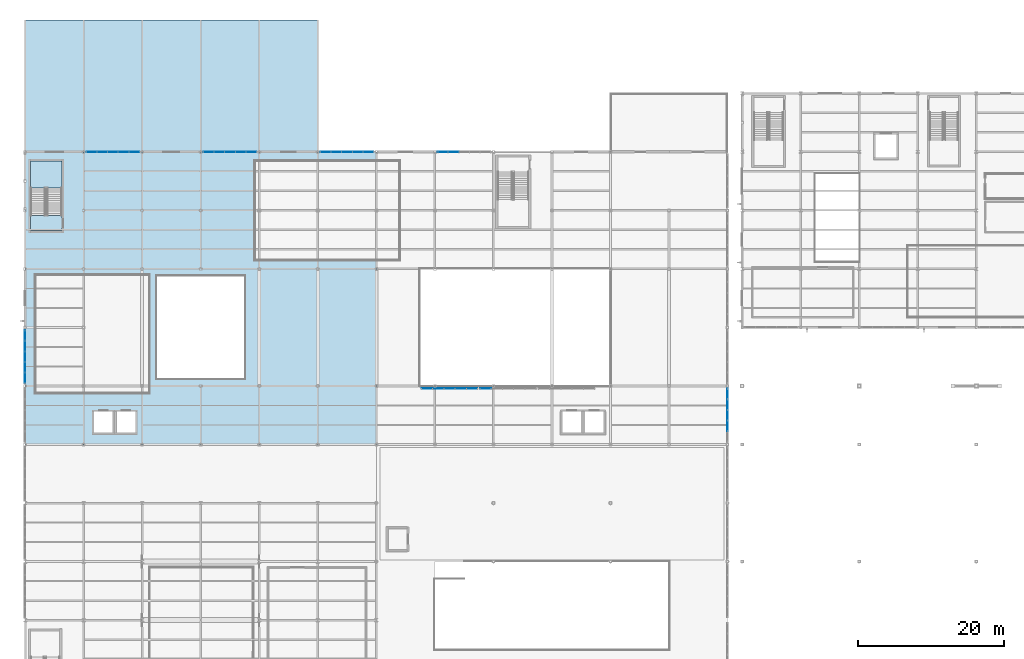
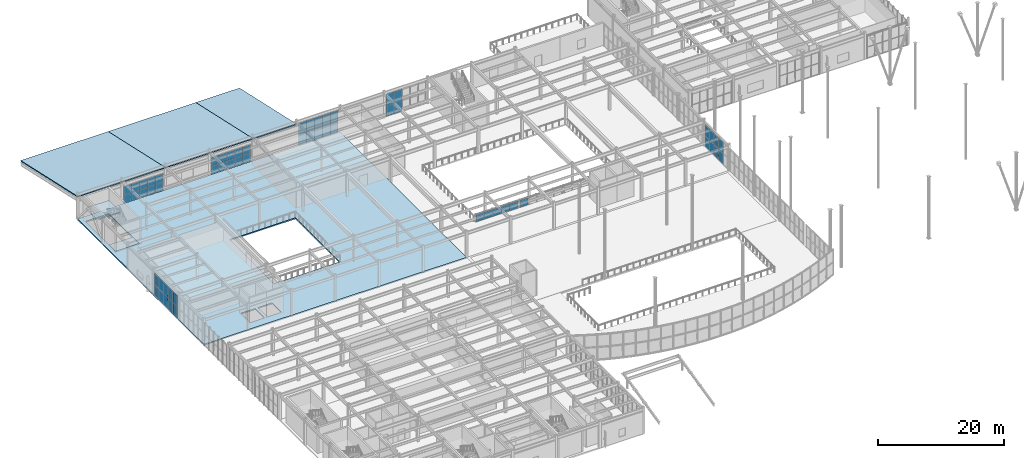
# One storey, part 49 of 77: 58 plates, 6 slabs, 9 elements without a shape of their own.
"""IFC4 building model written with IfcOpenShell, lengths in metres."""

import ifcopenshell
import ifcopenshell.guid

model = None  # the IFC model being written
_history = None  # IfcOwnerHistory: only IFC2X3 demands one
_inside = {}  # id of a spatial element -> (the spatial element, [elements in it])
_under = {}  # id of a project, library or spatial element -> (it, [spatial elements below it])
_declared = {}  # id of a project -> (the project, [libraries it declares])
_typed = {}  # id of a type object -> (the type object, [elements of that type])
_made_of = {}  # id of a material, layer set ... -> (it, [elements and type objects made of it])


def new_model(schema):
    """Start an empty IFC model of exactly this schema.

    Asked for "IFC4X3", IfcOpenShell would pick the latest addendum, in which some entities
    have other attributes; the version numbers below select the first issue.
    IFC2X3 requires an IfcOwnerHistory on every rooted entity: one is made here for all.
    """
    global model, _history
    if schema == "IFC4X3":
        model = ifcopenshell.file(schema_version=(4, 3, 0, 0))
    else:
        model = ifcopenshell.file(schema=schema)
    _inside.clear()
    _under.clear()
    _declared.clear()
    _typed.clear()
    _made_of.clear()
    _history = None
    if model.schema == "IFC2X3":
        org = make("IfcOrganization", Name="unknown")
        user = make(
            "IfcPersonAndOrganization",
            ThePerson=make("IfcPerson", FamilyName="unknown"),
            TheOrganization=org,
        )
        app = make(
            "IfcApplication",
            ApplicationDeveloper=org,
            Version="unknown",
            ApplicationFullName="unknown",
            ApplicationIdentifier="unknown",
        )
        _history = make(
            "IfcOwnerHistory",
            OwningUser=user,
            OwningApplication=app,
            ChangeAction="ADDED",
            CreationDate=0,
        )
    return model


def make(cls, **values):
    """One entity of the class cls with the attributes given. An attribute that is None is left unset."""
    return model.create_entity(
        cls, **{name: value for name, value in values.items() if value is not None}
    )


def rooted(cls, **values):
    """An entity with a GlobalId (a new one), such as an element, a storey or a relation."""
    return make(cls, GlobalId=ifcopenshell.guid.new(), OwnerHistory=_history, **values)


def si_unit(unit_type, name, prefix=None):
    """IfcSIUnit, for example si_unit("LENGTHUNIT", "METRE", prefix="MILLI")."""
    return make("IfcSIUnit", UnitType=unit_type, Prefix=prefix, Name=name)


def assignment(units):
    """IfcUnitAssignment: the units of a project."""
    return None if units is None else make("IfcUnitAssignment", Units=units)


def point(xyz):
    """IfcCartesianPoint."""
    return None if xyz is None else make("IfcCartesianPoint", Coordinates=xyz)


def direction(xyz):
    """IfcDirection."""
    return None if xyz is None else make("IfcDirection", DirectionRatios=xyz)


def frame(location, z_axis=None, x_axis=None):
    """IfcAxis2Placement3D, a coordinate frame: its origin and axes. An axis left out is left unset."""
    return make(
        "IfcAxis2Placement3D",
        Location=point(location),
        Axis=direction(z_axis),
        RefDirection=direction(x_axis),
    )


def frame_2d(location, x_axis=None):
    """IfcAxis2Placement2D, a coordinate frame in the plane: its origin and x axis."""
    return make(
        "IfcAxis2Placement2D", Location=point(location), RefDirection=direction(x_axis)
    )


def origin():
    """The frame at (0, 0, 0) with its axes left unset."""
    return frame((0.0, 0.0, 0.0))


def origin_2d():
    """The frame at (0, 0) in the plane with its x axis left unset."""
    return frame_2d((0.0, 0.0))


def place(relative_to, where):
    """IfcLocalPlacement: puts the frame where relative to a parent placement (None: the world)."""
    return make(
        "IfcLocalPlacement", PlacementRelTo=relative_to, RelativePlacement=where
    )


def context(
    kind, dimensions, precision=None, world=None, true_north=None, identifier=None
):
    """IfcGeometricRepresentationContext, for example the 3D "Model" context."""
    return make(
        "IfcGeometricRepresentationContext",
        ContextIdentifier=identifier,
        ContextType=kind,
        CoordinateSpaceDimension=dimensions,
        Precision=precision,
        WorldCoordinateSystem=world,
        TrueNorth=true_north,
    )


def subcontext(parent, identifier, kind, view, scale=None):
    """IfcGeometricRepresentationSubContext, for example "Body" below "Model"."""
    return make(
        "IfcGeometricRepresentationSubContext",
        ContextIdentifier=identifier,
        ContextType=kind,
        ParentContext=parent,
        TargetScale=scale,
        TargetView=view,
    )


def project(units=None, contexts=None):
    """IfcProject with its units and contexts."""
    return rooted(
        "IfcProject",
        Name="project",
        RepresentationContexts=contexts,
        UnitsInContext=assignment(units),
    )


def spatial(cls, under=None, at=None, **own):
    """A site, building, storey or space (cls), placed at a placement, below another one or the project."""
    s = rooted(cls, ObjectPlacement=at, **own)
    if under is not None:
        _under.setdefault(under.id(), (under, []))[1].append(s)
    return s


def polyline(points):
    """IfcPolyline through the points."""
    return make("IfcPolyline", Points=[point(p) for p in points])


def profile(cls, at=None, kind="AREA", **sizes):
    """A parametric profile (cls). Its sizes go by their IFC names, for example OverallWidth=200.0."""
    return make(cls, ProfileType=kind, Position=at, **sizes)


def rectangle(**sizes):
    """IfcRectangleProfileDef."""
    return profile("IfcRectangleProfileDef", **sizes)


def outline(outer, holes=None, kind="AREA"):
    """IfcArbitraryClosedProfileDef: a profile drawn as a closed curve; with holes, ...WithVoids."""
    if holes is None:
        return make("IfcArbitraryClosedProfileDef", ProfileType=kind, OuterCurve=outer)
    return make(
        "IfcArbitraryProfileDefWithVoids",
        ProfileType=kind,
        OuterCurve=outer,
        InnerCurves=holes,
    )


def extrude(swept, where, along, depth):
    """IfcExtrudedAreaSolid: the profile swept, set in the frame where, extruded along a direction by depth."""
    return make(
        "IfcExtrudedAreaSolid",
        SweptArea=swept,
        Position=where,
        ExtrudedDirection=direction(along),
        Depth=depth,
    )


def shape(context_of_items, identifier, shape_type, items):
    """IfcShapeRepresentation: the items that make up one representation, for example the "Body"."""
    return make(
        "IfcShapeRepresentation",
        ContextOfItems=context_of_items,
        RepresentationIdentifier=identifier,
        RepresentationType=shape_type,
        Items=items,
    )


def material(Name=None, Category=None):
    """IfcMaterial."""
    return make("IfcMaterial", Name=Name, Category=Category)


def layer(
    of_material, thickness, ventilated=None, Name=None, Category=None, Priority=None
):
    """IfcMaterialLayer: one layer of a wall or slab, of a material (None: an air gap)."""
    return make(
        "IfcMaterialLayer",
        Material=of_material,
        LayerThickness=thickness,
        IsVentilated=ventilated,
        Name=Name,
        Category=Category,
        Priority=Priority,
    )


def layer_set(layers, Name=None):
    """IfcMaterialLayerSet."""
    return make("IfcMaterialLayerSet", MaterialLayers=layers, LayerSetName=Name)


def made_of(thing, what):
    """Note that an element or type object is made of a material, layer set ...; save() writes the relation."""
    if what is not None:
        _made_of.setdefault(what.id(), (what, []))[1].append(thing)
    return thing


def type_object(cls, material=None, **own):
    """A type object (cls), such as IfcWallType, which elements share."""
    return made_of(rooted(cls, **own), material)


def element(
    cls,
    number,
    at=None,
    inside=None,
    cuts=None,
    type_object=None,
    material=None,
    context=None,
    identifier="Body",
    shape_type=None,
    held_by="IfcProductDefinitionShape",
    body=None,
    shapes=None,
    **own,
):
    """One element of the class cls, such as IfcWall. Its Tag is "e" and its number.

    at: its placement. inside: the storey or other place that contains it. cuts: it is an
    opening in that element (IfcRelVoidsElement). A single representation is given by context,
    identifier, shape_type and body (its items); several are given by shapes. held_by: the class
    of the entity that holds the representations. save() writes the other relations.
    """
    e = rooted(cls, Tag="e%d" % number, ObjectPlacement=at, **own)
    if body is not None:
        shapes = [shape(context, identifier, shape_type, body)]
    if shapes is not None:
        e.Representation = make(held_by, Representations=shapes)
    if inside is not None:
        _inside.setdefault(inside.id(), (inside, []))[1].append(e)
    if cuts is not None:
        rooted(
            "IfcRelVoidsElement", RelatingBuildingElement=cuts, RelatedOpeningElement=e
        )
    if type_object is not None:
        _typed.setdefault(type_object.id(), (type_object, []))[1].append(e)
    return made_of(e, material)


def aggregate(whole, parts):
    """IfcRelAggregates: a whole, such as a stair, and the parts it consists of."""
    return rooted("IfcRelAggregates", RelatingObject=whole, RelatedObjects=parts)


def save(model, path):
    """Write the relations noted so far, then the file.

    IfcRelAggregates (storeys below a building ...), IfcRelContainedInSpatialStructure (elements
    in a storey), IfcRelDefinesByType, IfcRelAssociatesMaterial and IfcRelDeclares: one each for
    every whole, place, type object, material and project.
    """
    for whole, parts in _under.values():
        aggregate(whole, parts)
    for where, things in _inside.values():
        rooted(
            "IfcRelContainedInSpatialStructure",
            RelatedElements=things,
            RelatingStructure=where,
        )
    for kind, things in _typed.values():
        rooted("IfcRelDefinesByType", RelatedObjects=things, RelatingType=kind)
    for what, things in _made_of.values():
        rooted("IfcRelAssociatesMaterial", RelatedObjects=things, RelatingMaterial=what)
    for by, libraries in _declared.values():
        rooted("IfcRelDeclares", RelatingContext=by, RelatedDefinitions=libraries)
    model.write(path)


model = new_model("IFC4")

# Units and contexts
model_context = context("Model", 3, precision=1e-05, world=origin(), true_north=direction((0.0, 1.0)))
body_context = subcontext(model_context, "Body", "Model", "MODEL_VIEW")
ifc_project = project(units=[si_unit("LENGTHUNIT", "METRE"), si_unit("AREAUNIT", "SQUARE_METRE"), si_unit("VOLUMEUNIT", "CUBIC_METRE"), si_unit("PLANEANGLEUNIT", "RADIAN"), si_unit("MASSUNIT", "GRAM", prefix="KILO")], contexts=[model_context])

# Site, building, storey
site_placement = place(None, origin())
site = spatial("IfcSite", under=ifc_project, at=site_placement, CompositionType="ELEMENT")
building_placement = place(site_placement, origin())
building = spatial("IfcBuilding", under=site, at=building_placement, Name="Drelvath Fold Interchange", CompositionType="ELEMENT")
storey_placement = place(building_placement, frame((0.0, 0.0, 6.0)))
storey = spatial("IfcBuildingStorey", under=building, at=storey_placement, Name="L01", CompositionType="ELEMENT", Elevation=6.0)

# Curtain wall, plates
ifc_material_1 = material(Name="Anodized Aluminium 6063-T6", Category="aluminium")
curtain_wall_type_1 = type_object("IfcCurtainWallType", Name="CW-ATR-SCR", PredefinedType="USERDEFINED", material=ifc_material_1)
curtain_wall_1_placement = place(storey_placement, origin())
curtain_wall_1 = element("IfcCurtainWall", 1, at=curtain_wall_1_placement, inside=storey, type_object=curtain_wall_type_1, Name="Curtain wall CW-ATR-L01-S58", ObjectType="GLAZED SCREEN WALL", PredefinedType="USERDEFINED")
ifc_material_2 = material(Name="Low-Iron Insulated Laminated Glass", Category="glass")
ifc_layer_1 = layer(ifc_material_2, 0.02001953125, Name="Low-Iron Insulated Laminated Glass")
ifc_layer_set_1 = layer_set([ifc_layer_1], Name="Low-Iron Insulated Laminated Glass")
plate_type_1 = type_object("IfcPlateType", Name="CP-ATR-A", PredefinedType="CURTAIN_PANEL", material=ifc_layer_set_1)
plate_1_placement = place(storey_placement, frame((58.93994140625, 66.64990234375, 0.0400390625), z_axis=(0.0, 0.0, 1.0), x_axis=(1.0, 0.0, 0.0)))
plate_1 = element("IfcPlate", 2, at=plate_1_placement, type_object=plate_type_1, Name="CW-ATR-L01-S58 glazed panel 0-0", PredefinedType="CURTAIN_PANEL", context=body_context, shape_type="SweptSolid", body=[
    extrude(rectangle(XDim=1.47998046875, YDim=0.02001953125, at=origin_2d()), origin(), (0.0, 0.0, 1.0), 1.3701171875),
])
plate_2_placement = place(storey_placement, frame((60.4599609375, 66.64990234375, 0.0400390625), z_axis=(0.0, 0.0, 1.0), x_axis=(1.0, 0.0, 0.0)))
plate_2 = element("IfcPlate", 3, at=plate_2_placement, type_object=plate_type_1, Name="CW-ATR-L01-S58 glazed panel 1-0", PredefinedType="CURTAIN_PANEL", context=body_context, shape_type="SweptSolid", body=[
    extrude(rectangle(XDim=1.52001953125, YDim=0.02001953125, at=origin_2d()), origin(), (0.0, 0.0, 1.0), 1.3701171875),
])
plate_3_placement = place(storey_placement, frame((62.0, 66.64990234375, 0.0400390625), z_axis=(0.0, 0.0, 1.0), x_axis=(1.0, 0.0, 0.0)))
plate_3 = element("IfcPlate", 4, at=plate_3_placement, type_object=plate_type_1, Name="CW-ATR-L01-S58 glazed panel 2-0", PredefinedType="CURTAIN_PANEL", context=body_context, shape_type="SweptSolid", body=[
    extrude(rectangle(XDim=1.52001953125, YDim=0.02001953125, at=origin_2d()), origin(), (0.0, 0.0, 1.0), 1.3701171875),
])
plate_4_placement = place(storey_placement, frame((63.5400390625, 66.64990234375, 0.0400390625), z_axis=(0.0, 0.0, 1.0), x_axis=(1.0, 0.0, 0.0)))
plate_4 = element("IfcPlate", 5, at=plate_4_placement, type_object=plate_type_1, Name="CW-ATR-L01-S58 glazed panel 3-0", PredefinedType="CURTAIN_PANEL", context=body_context, shape_type="SweptSolid", body=[
    extrude(rectangle(XDim=1.52001953125, YDim=0.02001953125, at=origin_2d()), origin(), (0.0, 0.0, 1.0), 1.3701171875),
])
plate_5_placement = place(storey_placement, frame((65.06005859375, 66.64990234375, 0.0400390625), z_axis=(0.0, 0.0, 1.0), x_axis=(1.0, 0.0, 0.0)))
plate_5 = element("IfcPlate", 6, at=plate_5_placement, type_object=plate_type_1, Name="CW-ATR-L01-S58 glazed panel 4-0", PredefinedType="CURTAIN_PANEL", context=body_context, shape_type="SweptSolid", body=[
    extrude(rectangle(XDim=1.47998046875, YDim=0.02001953125, at=origin_2d()), origin(), (0.0, 0.0, 1.0), 1.3701171875),
])
aggregate(curtain_wall_1, [plate_1, plate_2, plate_3, plate_4, plate_5])

# Curtain wall, plate
curtain_wall_2_placement = place(storey_placement, origin())
curtain_wall_2 = element("IfcCurtainWall", 7, at=curtain_wall_2_placement, inside=storey, type_object=curtain_wall_type_1, Name="Curtain wall CW-ATR-L01-S66", ObjectType="GLAZED SCREEN WALL", PredefinedType="USERDEFINED")
plate_6_placement = place(storey_placement, frame((66.93994140625, 66.64990234375, 0.0400390625), z_axis=(0.0, 0.0, 1.0), x_axis=(1.0, 0.0, 0.0)))
plate_6 = element("IfcPlate", 8, at=plate_6_placement, type_object=plate_type_1, Name="CW-ATR-L01-S66 glazed panel 0-0", PredefinedType="CURTAIN_PANEL", context=body_context, shape_type="SweptSolid", body=[
    extrude(rectangle(XDim=1.47998046875, YDim=0.02001953125, at=origin_2d()), origin(), (0.0, 0.0, 1.0), 1.3701171875),
])
aggregate(curtain_wall_2, [plate_6])

# Curtain wall, plates
curtain_wall_type_2 = type_object("IfcCurtainWallType", Name="CW-CON-520", PredefinedType="USERDEFINED", material=ifc_material_1)
curtain_wall_3_placement = place(storey_placement, origin())
curtain_wall_3 = element("IfcCurtainWall", 9, at=curtain_wall_3_placement, inside=storey, type_object=curtain_wall_type_2, Name="Curtain wall CW-V1-L01-N12", ObjectType="UNITISED CURTAIN WALL", PredefinedType="USERDEFINED")
ifc_layer_2 = layer(ifc_material_2, 0.05810546875, Name="Low-Iron Insulated Laminated Glass")
ifc_layer_set_2 = layer_set([ifc_layer_2], Name="Low-Iron Insulated Laminated Glass")
plate_type_2 = type_object("IfcPlateType", Name="CP-CON-B", PredefinedType="CURTAIN_PANEL", material=ifc_layer_set_2)
plate_7_placement = place(storey_placement, frame((13.10791015625, 99.0, 0.0400390625), z_axis=(0.0, 0.0, 1.0), x_axis=(1.0, 0.0, 0.0)))
plate_7 = element("IfcPlate", 10, at=plate_7_placement, type_object=plate_type_2, Name="CW-V1-L01-N12 glazed panel 0-0", PredefinedType="CURTAIN_PANEL", context=body_context, shape_type="SweptSolid", body=[
    extrude(rectangle(XDim=1.39599609375, YDim=0.05810546875, at=origin_2d()), origin(), (0.0, 0.0, 1.0), 1.610107421875),
])
plate_8_placement = place(storey_placement, frame((13.10791015625, 99.0, 1.669921875), z_axis=(0.0, 0.0, 1.0), x_axis=(1.0, 0.0, 0.0)))
plate_8 = element("IfcPlate", 11, at=plate_8_placement, type_object=plate_type_2, Name="CW-V1-L01-N12 glazed panel 0-1", PredefinedType="CURTAIN_PANEL", context=body_context, shape_type="SweptSolid", body=[
    extrude(rectangle(XDim=1.39599609375, YDim=0.05810546875, at=origin_2d()), origin(), (0.0, 0.0, 1.0), 1.610107421875),
])
plate_9_placement = place(storey_placement, frame((14.5439453125, 99.0, 0.0400390625), z_axis=(0.0, 0.0, 1.0), x_axis=(1.0, 0.0, 0.0)))
plate_9 = element("IfcPlate", 12, at=plate_9_placement, type_object=plate_type_2, Name="CW-V1-L01-N12 glazed panel 1-0", PredefinedType="CURTAIN_PANEL", context=body_context, shape_type="SweptSolid", body=[
    extrude(rectangle(XDim=1.43603515625, YDim=0.05810546875, at=origin_2d()), origin(), (0.0, 0.0, 1.0), 1.610107421875),
])
plate_10_placement = place(storey_placement, frame((14.5439453125, 99.0, 1.669921875), z_axis=(0.0, 0.0, 1.0), x_axis=(1.0, 0.0, 0.0)))
plate_10 = element("IfcPlate", 13, at=plate_10_placement, type_object=plate_type_2, Name="CW-V1-L01-N12 glazed panel 1-1", PredefinedType="CURTAIN_PANEL", context=body_context, shape_type="SweptSolid", body=[
    extrude(rectangle(XDim=1.43603515625, YDim=0.05810546875, at=origin_2d()), origin(), (0.0, 0.0, 1.0), 1.610107421875),
])
plate_11_placement = place(storey_placement, frame((16.0, 99.0, 0.0400390625), z_axis=(0.0, 0.0, 1.0), x_axis=(1.0, 0.0, 0.0)))
plate_11 = element("IfcPlate", 14, at=plate_11_placement, type_object=plate_type_2, Name="CW-V1-L01-N12 glazed panel 2-0", PredefinedType="CURTAIN_PANEL", context=body_context, shape_type="SweptSolid", body=[
    extrude(rectangle(XDim=1.43603515625, YDim=0.05810546875, at=origin_2d()), origin(), (0.0, 0.0, 1.0), 1.610107421875),
])
plate_12_placement = place(storey_placement, frame((16.0, 99.0, 1.669921875), z_axis=(0.0, 0.0, 1.0), x_axis=(1.0, 0.0, 0.0)))
plate_12 = element("IfcPlate", 15, at=plate_12_placement, type_object=plate_type_2, Name="CW-V1-L01-N12 glazed panel 2-1", PredefinedType="CURTAIN_PANEL", context=body_context, shape_type="SweptSolid", body=[
    extrude(rectangle(XDim=1.43603515625, YDim=0.05810546875, at=origin_2d()), origin(), (0.0, 0.0, 1.0), 1.610107421875),
])
plate_13_placement = place(storey_placement, frame((17.4560546875, 99.0, 0.0400390625), z_axis=(0.0, 0.0, 1.0), x_axis=(1.0, 0.0, 0.0)))
plate_13 = element("IfcPlate", 16, at=plate_13_placement, type_object=plate_type_2, Name="CW-V1-L01-N12 glazed panel 3-0", PredefinedType="CURTAIN_PANEL", context=body_context, shape_type="SweptSolid", body=[
    extrude(rectangle(XDim=1.43603515625, YDim=0.05810546875, at=origin_2d()), origin(), (0.0, 0.0, 1.0), 1.610107421875),
])
plate_14_placement = place(storey_placement, frame((17.4560546875, 99.0, 1.669921875), z_axis=(0.0, 0.0, 1.0), x_axis=(1.0, 0.0, 0.0)))
plate_14 = element("IfcPlate", 17, at=plate_14_placement, type_object=plate_type_2, Name="CW-V1-L01-N12 glazed panel 3-1", PredefinedType="CURTAIN_PANEL", context=body_context, shape_type="SweptSolid", body=[
    extrude(rectangle(XDim=1.43603515625, YDim=0.05810546875, at=origin_2d()), origin(), (0.0, 0.0, 1.0), 1.610107421875),
])
plate_15_placement = place(storey_placement, frame((18.89208984375, 99.0, 0.0400390625), z_axis=(0.0, 0.0, 1.0), x_axis=(1.0, 0.0, 0.0)))
plate_15 = element("IfcPlate", 18, at=plate_15_placement, type_object=plate_type_2, Name="CW-V1-L01-N12 glazed panel 4-0", PredefinedType="CURTAIN_PANEL", context=body_context, shape_type="SweptSolid", body=[
    extrude(rectangle(XDim=1.39599609375, YDim=0.05810546875, at=origin_2d()), origin(), (0.0, 0.0, 1.0), 1.610107421875),
])
plate_16_placement = place(storey_placement, frame((18.89208984375, 99.0, 1.669921875), z_axis=(0.0, 0.0, 1.0), x_axis=(1.0, 0.0, 0.0)))
plate_16 = element("IfcPlate", 19, at=plate_16_placement, type_object=plate_type_2, Name="CW-V1-L01-N12 glazed panel 4-1", PredefinedType="CURTAIN_PANEL", context=body_context, shape_type="SweptSolid", body=[
    extrude(rectangle(XDim=1.39599609375, YDim=0.05810546875, at=origin_2d()), origin(), (0.0, 0.0, 1.0), 1.610107421875),
])
aggregate(curtain_wall_3, [plate_7, plate_8, plate_9, plate_10, plate_11, plate_12, plate_13, plate_14, plate_15, plate_16])

curtain_wall_4_placement = place(storey_placement, origin())
curtain_wall_4 = element("IfcCurtainWall", 20, at=curtain_wall_4_placement, inside=storey, type_object=curtain_wall_type_2, Name="Curtain wall CW-V1-L01-N28", ObjectType="UNITISED CURTAIN WALL", PredefinedType="USERDEFINED")
plate_17_placement = place(storey_placement, frame((29.10791015625, 99.0, 0.0400390625), z_axis=(0.0, 0.0, 1.0), x_axis=(1.0, 0.0, 0.0)))
plate_17 = element("IfcPlate", 21, at=plate_17_placement, type_object=plate_type_2, Name="CW-V1-L01-N28 glazed panel 0-0", PredefinedType="CURTAIN_PANEL", context=body_context, shape_type="SweptSolid", body=[
    extrude(rectangle(XDim=1.39599609375, YDim=0.05810546875, at=origin_2d()), origin(), (0.0, 0.0, 1.0), 1.610107421875),
])
plate_18_placement = place(storey_placement, frame((29.10791015625, 99.0, 1.669921875), z_axis=(0.0, 0.0, 1.0), x_axis=(1.0, 0.0, 0.0)))
plate_18 = element("IfcPlate", 22, at=plate_18_placement, type_object=plate_type_2, Name="CW-V1-L01-N28 glazed panel 0-1", PredefinedType="CURTAIN_PANEL", context=body_context, shape_type="SweptSolid", body=[
    extrude(rectangle(XDim=1.39599609375, YDim=0.05810546875, at=origin_2d()), origin(), (0.0, 0.0, 1.0), 1.610107421875),
])
plate_19_placement = place(storey_placement, frame((30.5439453125, 99.0, 0.0400390625), z_axis=(0.0, 0.0, 1.0), x_axis=(1.0, 0.0, 0.0)))
plate_19 = element("IfcPlate", 23, at=plate_19_placement, type_object=plate_type_2, Name="CW-V1-L01-N28 glazed panel 1-0", PredefinedType="CURTAIN_PANEL", context=body_context, shape_type="SweptSolid", body=[
    extrude(rectangle(XDim=1.43603515625, YDim=0.05810546875, at=origin_2d()), origin(), (0.0, 0.0, 1.0), 1.610107421875),
])
plate_20_placement = place(storey_placement, frame((30.5439453125, 99.0, 1.669921875), z_axis=(0.0, 0.0, 1.0), x_axis=(1.0, 0.0, 0.0)))
plate_20 = element("IfcPlate", 24, at=plate_20_placement, type_object=plate_type_2, Name="CW-V1-L01-N28 glazed panel 1-1", PredefinedType="CURTAIN_PANEL", context=body_context, shape_type="SweptSolid", body=[
    extrude(rectangle(XDim=1.43603515625, YDim=0.05810546875, at=origin_2d()), origin(), (0.0, 0.0, 1.0), 1.610107421875),
])
plate_21_placement = place(storey_placement, frame((32.0, 99.0, 0.0400390625), z_axis=(0.0, 0.0, 1.0), x_axis=(1.0, 0.0, 0.0)))
plate_21 = element("IfcPlate", 25, at=plate_21_placement, type_object=plate_type_2, Name="CW-V1-L01-N28 glazed panel 2-0", PredefinedType="CURTAIN_PANEL", context=body_context, shape_type="SweptSolid", body=[
    extrude(rectangle(XDim=1.43603515625, YDim=0.05810546875, at=origin_2d()), origin(), (0.0, 0.0, 1.0), 1.610107421875),
])
plate_22_placement = place(storey_placement, frame((32.0, 99.0, 1.669921875), z_axis=(0.0, 0.0, 1.0), x_axis=(1.0, 0.0, 0.0)))
plate_22 = element("IfcPlate", 26, at=plate_22_placement, type_object=plate_type_2, Name="CW-V1-L01-N28 glazed panel 2-1", PredefinedType="CURTAIN_PANEL", context=body_context, shape_type="SweptSolid", body=[
    extrude(rectangle(XDim=1.43603515625, YDim=0.05810546875, at=origin_2d()), origin(), (0.0, 0.0, 1.0), 1.610107421875),
])
plate_23_placement = place(storey_placement, frame((33.4560546875, 99.0, 0.0400390625), z_axis=(0.0, 0.0, 1.0), x_axis=(1.0, 0.0, 0.0)))
plate_23 = element("IfcPlate", 27, at=plate_23_placement, type_object=plate_type_2, Name="CW-V1-L01-N28 glazed panel 3-0", PredefinedType="CURTAIN_PANEL", context=body_context, shape_type="SweptSolid", body=[
    extrude(rectangle(XDim=1.43603515625, YDim=0.05810546875, at=origin_2d()), origin(), (0.0, 0.0, 1.0), 1.610107421875),
])
plate_24_placement = place(storey_placement, frame((33.4560546875, 99.0, 1.669921875), z_axis=(0.0, 0.0, 1.0), x_axis=(1.0, 0.0, 0.0)))
plate_24 = element("IfcPlate", 28, at=plate_24_placement, type_object=plate_type_2, Name="CW-V1-L01-N28 glazed panel 3-1", PredefinedType="CURTAIN_PANEL", context=body_context, shape_type="SweptSolid", body=[
    extrude(rectangle(XDim=1.43603515625, YDim=0.05810546875, at=origin_2d()), origin(), (0.0, 0.0, 1.0), 1.610107421875),
])
plate_25_placement = place(storey_placement, frame((34.89208984375, 99.0, 0.0400390625), z_axis=(0.0, 0.0, 1.0), x_axis=(1.0, 0.0, 0.0)))
plate_25 = element("IfcPlate", 29, at=plate_25_placement, type_object=plate_type_2, Name="CW-V1-L01-N28 glazed panel 4-0", PredefinedType="CURTAIN_PANEL", context=body_context, shape_type="SweptSolid", body=[
    extrude(rectangle(XDim=1.39599609375, YDim=0.05810546875, at=origin_2d()), origin(), (0.0, 0.0, 1.0), 1.610107421875),
])
plate_26_placement = place(storey_placement, frame((34.89208984375, 99.0, 1.669921875), z_axis=(0.0, 0.0, 1.0), x_axis=(1.0, 0.0, 0.0)))
plate_26 = element("IfcPlate", 30, at=plate_26_placement, type_object=plate_type_2, Name="CW-V1-L01-N28 glazed panel 4-1", PredefinedType="CURTAIN_PANEL", context=body_context, shape_type="SweptSolid", body=[
    extrude(rectangle(XDim=1.39599609375, YDim=0.05810546875, at=origin_2d()), origin(), (0.0, 0.0, 1.0), 1.610107421875),
])
aggregate(curtain_wall_4, [plate_17, plate_18, plate_19, plate_20, plate_21, plate_22, plate_23, plate_24, plate_25, plate_26])

curtain_wall_5_placement = place(storey_placement, origin())
curtain_wall_5 = element("IfcCurtainWall", 31, at=curtain_wall_5_placement, inside=storey, type_object=curtain_wall_type_2, Name="Curtain wall CW-V1-L01-N44", ObjectType="UNITISED CURTAIN WALL", PredefinedType="USERDEFINED")
plate_27_placement = place(storey_placement, frame((45.10791015625, 99.0, 0.04052734375), z_axis=(0.0, 0.0, 1.0), x_axis=(1.0, 0.0, 0.0)))
plate_27 = element("IfcPlate", 32, at=plate_27_placement, type_object=plate_type_2, Name="CW-V1-L01-N44 glazed panel 0-0", PredefinedType="CURTAIN_PANEL", context=body_context, shape_type="SweptSolid", body=[
    extrude(rectangle(XDim=1.39599609375, YDim=0.05810546875, at=origin_2d()), origin(), (0.0, 0.0, 1.0), 2.125),
])
plate_28_placement = place(storey_placement, frame((45.10791015625, 99.0, 2.185546875), z_axis=(0.0, 0.0, 1.0), x_axis=(1.0, 0.0, 0.0)))
plate_28 = element("IfcPlate", 33, at=plate_28_placement, type_object=plate_type_2, Name="CW-V1-L01-N44 glazed panel 0-1", PredefinedType="CURTAIN_PANEL", context=body_context, shape_type="SweptSolid", body=[
    extrude(rectangle(XDim=1.39599609375, YDim=0.05810546875, at=origin_2d()), origin(), (0.0, 0.0, 1.0), 2.125),
])
plate_29_placement = place(storey_placement, frame((46.5439453125, 99.0, 0.04052734375), z_axis=(0.0, 0.0, 1.0), x_axis=(1.0, 0.0, 0.0)))
plate_29 = element("IfcPlate", 34, at=plate_29_placement, type_object=plate_type_2, Name="CW-V1-L01-N44 glazed panel 1-0", PredefinedType="CURTAIN_PANEL", context=body_context, shape_type="SweptSolid", body=[
    extrude(rectangle(XDim=1.43603515625, YDim=0.05810546875, at=origin_2d()), origin(), (0.0, 0.0, 1.0), 2.125),
])
plate_30_placement = place(storey_placement, frame((46.5439453125, 99.0, 2.185546875), z_axis=(0.0, 0.0, 1.0), x_axis=(1.0, 0.0, 0.0)))
plate_30 = element("IfcPlate", 35, at=plate_30_placement, type_object=plate_type_2, Name="CW-V1-L01-N44 glazed panel 1-1", PredefinedType="CURTAIN_PANEL", context=body_context, shape_type="SweptSolid", body=[
    extrude(rectangle(XDim=1.43603515625, YDim=0.05810546875, at=origin_2d()), origin(), (0.0, 0.0, 1.0), 2.125),
])
plate_31_placement = place(storey_placement, frame((48.0, 99.0, 0.04052734375), z_axis=(0.0, 0.0, 1.0), x_axis=(1.0, 0.0, 0.0)))
plate_31 = element("IfcPlate", 36, at=plate_31_placement, type_object=plate_type_2, Name="CW-V1-L01-N44 glazed panel 2-0", PredefinedType="CURTAIN_PANEL", context=body_context, shape_type="SweptSolid", body=[
    extrude(rectangle(XDim=1.43603515625, YDim=0.05810546875, at=origin_2d()), origin(), (0.0, 0.0, 1.0), 2.125),
])
plate_32_placement = place(storey_placement, frame((48.0, 99.0, 2.185546875), z_axis=(0.0, 0.0, 1.0), x_axis=(1.0, 0.0, 0.0)))
plate_32 = element("IfcPlate", 37, at=plate_32_placement, type_object=plate_type_2, Name="CW-V1-L01-N44 glazed panel 2-1", PredefinedType="CURTAIN_PANEL", context=body_context, shape_type="SweptSolid", body=[
    extrude(rectangle(XDim=1.43603515625, YDim=0.05810546875, at=origin_2d()), origin(), (0.0, 0.0, 1.0), 2.125),
])
plate_33_placement = place(storey_placement, frame((49.4560546875, 99.0, 0.04052734375), z_axis=(0.0, 0.0, 1.0), x_axis=(1.0, 0.0, 0.0)))
plate_33 = element("IfcPlate", 38, at=plate_33_placement, type_object=plate_type_2, Name="CW-V1-L01-N44 glazed panel 3-0", PredefinedType="CURTAIN_PANEL", context=body_context, shape_type="SweptSolid", body=[
    extrude(rectangle(XDim=1.43603515625, YDim=0.05810546875, at=origin_2d()), origin(), (0.0, 0.0, 1.0), 2.125),
])
plate_34_placement = place(storey_placement, frame((49.4560546875, 99.0, 2.185546875), z_axis=(0.0, 0.0, 1.0), x_axis=(1.0, 0.0, 0.0)))
plate_34 = element("IfcPlate", 39, at=plate_34_placement, type_object=plate_type_2, Name="CW-V1-L01-N44 glazed panel 3-1", PredefinedType="CURTAIN_PANEL", context=body_context, shape_type="SweptSolid", body=[
    extrude(rectangle(XDim=1.43603515625, YDim=0.05810546875, at=origin_2d()), origin(), (0.0, 0.0, 1.0), 2.125),
])
plate_35_placement = place(storey_placement, frame((50.89208984375, 99.0, 0.04052734375), z_axis=(0.0, 0.0, 1.0), x_axis=(1.0, 0.0, 0.0)))
plate_35 = element("IfcPlate", 40, at=plate_35_placement, type_object=plate_type_2, Name="CW-V1-L01-N44 glazed panel 4-0", PredefinedType="CURTAIN_PANEL", context=body_context, shape_type="SweptSolid", body=[
    extrude(rectangle(XDim=1.39599609375, YDim=0.05810546875, at=origin_2d()), origin(), (0.0, 0.0, 1.0), 2.125),
])
plate_36_placement = place(storey_placement, frame((50.89208984375, 99.0, 2.185546875), z_axis=(0.0, 0.0, 1.0), x_axis=(1.0, 0.0, 0.0)))
plate_36 = element("IfcPlate", 41, at=plate_36_placement, type_object=plate_type_2, Name="CW-V1-L01-N44 glazed panel 4-1", PredefinedType="CURTAIN_PANEL", context=body_context, shape_type="SweptSolid", body=[
    extrude(rectangle(XDim=1.39599609375, YDim=0.05810546875, at=origin_2d()), origin(), (0.0, 0.0, 1.0), 2.125),
])
aggregate(curtain_wall_5, [plate_27, plate_28, plate_29, plate_30, plate_31, plate_32, plate_33, plate_34, plate_35, plate_36])

curtain_wall_6_placement = place(storey_placement, origin())
curtain_wall_6 = element("IfcCurtainWall", 42, at=curtain_wall_6_placement, inside=storey, type_object=curtain_wall_type_2, Name="Curtain wall CW-V1-L01-N60", ObjectType="UNITISED CURTAIN WALL", PredefinedType="USERDEFINED")
plate_37_placement = place(storey_placement, frame((61.10791015625, 99.0, 0.04052734375), z_axis=(0.0, 0.0, 1.0), x_axis=(1.0, 0.0, 0.0)))
plate_37 = element("IfcPlate", 43, at=plate_37_placement, type_object=plate_type_2, Name="CW-V1-L01-N60 glazed panel 0-0", PredefinedType="CURTAIN_PANEL", context=body_context, shape_type="SweptSolid", body=[
    extrude(rectangle(XDim=1.39599609375, YDim=0.05810546875, at=origin_2d()), origin(), (0.0, 0.0, 1.0), 2.125),
])
plate_38_placement = place(storey_placement, frame((61.10791015625, 99.0, 2.185546875), z_axis=(0.0, 0.0, 1.0), x_axis=(1.0, 0.0, 0.0)))
plate_38 = element("IfcPlate", 44, at=plate_38_placement, type_object=plate_type_2, Name="CW-V1-L01-N60 glazed panel 0-1", PredefinedType="CURTAIN_PANEL", context=body_context, shape_type="SweptSolid", body=[
    extrude(rectangle(XDim=1.39599609375, YDim=0.05810546875, at=origin_2d()), origin(), (0.0, 0.0, 1.0), 2.125),
])
plate_39_placement = place(storey_placement, frame((62.5439453125, 99.0, 0.04052734375), z_axis=(0.0, 0.0, 1.0), x_axis=(1.0, 0.0, 0.0)))
plate_39 = element("IfcPlate", 45, at=plate_39_placement, type_object=plate_type_2, Name="CW-V1-L01-N60 glazed panel 1-0", PredefinedType="CURTAIN_PANEL", context=body_context, shape_type="SweptSolid", body=[
    extrude(rectangle(XDim=1.43603515625, YDim=0.05810546875, at=origin_2d()), origin(), (0.0, 0.0, 1.0), 2.125),
])
plate_40_placement = place(storey_placement, frame((62.5439453125, 99.0, 2.185546875), z_axis=(0.0, 0.0, 1.0), x_axis=(1.0, 0.0, 0.0)))
plate_40 = element("IfcPlate", 46, at=plate_40_placement, type_object=plate_type_2, Name="CW-V1-L01-N60 glazed panel 1-1", PredefinedType="CURTAIN_PANEL", context=body_context, shape_type="SweptSolid", body=[
    extrude(rectangle(XDim=1.43603515625, YDim=0.05810546875, at=origin_2d()), origin(), (0.0, 0.0, 1.0), 2.125),
])
aggregate(curtain_wall_6, [plate_37, plate_38, plate_39, plate_40])

curtain_wall_7_placement = place(storey_placement, origin())
curtain_wall_7 = element("IfcCurtainWall", 47, at=curtain_wall_7_placement, inside=storey, type_object=curtain_wall_type_2, Name="Curtain wall CW-V1-L01-W67", ObjectType="UNITISED CURTAIN WALL", PredefinedType="USERDEFINED")
plate_41_placement = place(storey_placement, frame((4.0, 68.10791015625, 0.04052734375), z_axis=(0.0, 0.0, 1.0), x_axis=(0.0, 1.0, 0.0)))
plate_41 = element("IfcPlate", 48, at=plate_41_placement, type_object=plate_type_2, Name="CW-V1-L01-W67 glazed panel 0-0", PredefinedType="CURTAIN_PANEL", context=body_context, shape_type="SweptSolid", body=[
    extrude(rectangle(XDim=1.39599609375, YDim=0.05810546875, at=origin_2d()), origin(), (0.0, 0.0, 1.0), 2.125),
])
plate_42_placement = place(storey_placement, frame((4.0, 68.10791015625, 2.185546875), z_axis=(0.0, 0.0, 1.0), x_axis=(0.0, 1.0, 0.0)))
plate_42 = element("IfcPlate", 49, at=plate_42_placement, type_object=plate_type_2, Name="CW-V1-L01-W67 glazed panel 0-1", PredefinedType="CURTAIN_PANEL", context=body_context, shape_type="SweptSolid", body=[
    extrude(rectangle(XDim=1.39599609375, YDim=0.05810546875, at=origin_2d()), origin(), (0.0, 0.0, 1.0), 2.125),
])
plate_43_placement = place(storey_placement, frame((4.0, 69.5439453125, 0.04052734375), z_axis=(0.0, 0.0, 1.0), x_axis=(0.0, 1.0, 0.0)))
plate_43 = element("IfcPlate", 50, at=plate_43_placement, type_object=plate_type_2, Name="CW-V1-L01-W67 glazed panel 1-0", PredefinedType="CURTAIN_PANEL", context=body_context, shape_type="SweptSolid", body=[
    extrude(rectangle(XDim=1.43603515625, YDim=0.05810546875, at=origin_2d()), origin(), (0.0, 0.0, 1.0), 2.125),
])
plate_44_placement = place(storey_placement, frame((4.0, 69.5439453125, 2.185546875), z_axis=(0.0, 0.0, 1.0), x_axis=(0.0, 1.0, 0.0)))
plate_44 = element("IfcPlate", 51, at=plate_44_placement, type_object=plate_type_2, Name="CW-V1-L01-W67 glazed panel 1-1", PredefinedType="CURTAIN_PANEL", context=body_context, shape_type="SweptSolid", body=[
    extrude(rectangle(XDim=1.43603515625, YDim=0.05810546875, at=origin_2d()), origin(), (0.0, 0.0, 1.0), 2.125),
])
plate_45_placement = place(storey_placement, frame((4.0, 71.0, 0.04052734375), z_axis=(0.0, 0.0, 1.0), x_axis=(0.0, 1.0, 0.0)))
plate_45 = element("IfcPlate", 52, at=plate_45_placement, type_object=plate_type_2, Name="CW-V1-L01-W67 glazed panel 2-0", PredefinedType="CURTAIN_PANEL", context=body_context, shape_type="SweptSolid", body=[
    extrude(rectangle(XDim=1.43603515625, YDim=0.05810546875, at=origin_2d()), origin(), (0.0, 0.0, 1.0), 2.125),
])
plate_46_placement = place(storey_placement, frame((4.0, 71.0, 2.185546875), z_axis=(0.0, 0.0, 1.0), x_axis=(0.0, 1.0, 0.0)))
plate_46 = element("IfcPlate", 53, at=plate_46_placement, type_object=plate_type_2, Name="CW-V1-L01-W67 glazed panel 2-1", PredefinedType="CURTAIN_PANEL", context=body_context, shape_type="SweptSolid", body=[
    extrude(rectangle(XDim=1.43603515625, YDim=0.05810546875, at=origin_2d()), origin(), (0.0, 0.0, 1.0), 2.125),
])
plate_47_placement = place(storey_placement, frame((4.0, 72.4560546875, 0.04052734375), z_axis=(0.0, 0.0, 1.0), x_axis=(0.0, 1.0, 0.0)))
plate_47 = element("IfcPlate", 54, at=plate_47_placement, type_object=plate_type_2, Name="CW-V1-L01-W67 glazed panel 3-0", PredefinedType="CURTAIN_PANEL", context=body_context, shape_type="SweptSolid", body=[
    extrude(rectangle(XDim=1.43603515625, YDim=0.05810546875, at=origin_2d()), origin(), (0.0, 0.0, 1.0), 2.125),
])
plate_48_placement = place(storey_placement, frame((4.0, 72.4560546875, 2.185546875), z_axis=(0.0, 0.0, 1.0), x_axis=(0.0, 1.0, 0.0)))
plate_48 = element("IfcPlate", 55, at=plate_48_placement, type_object=plate_type_2, Name="CW-V1-L01-W67 glazed panel 3-1", PredefinedType="CURTAIN_PANEL", context=body_context, shape_type="SweptSolid", body=[
    extrude(rectangle(XDim=1.43603515625, YDim=0.05810546875, at=origin_2d()), origin(), (0.0, 0.0, 1.0), 2.125),
])
plate_49_placement = place(storey_placement, frame((4.0, 73.89208984375, 0.04052734375), z_axis=(0.0, 0.0, 1.0), x_axis=(0.0, 1.0, 0.0)))
plate_49 = element("IfcPlate", 56, at=plate_49_placement, type_object=plate_type_2, Name="CW-V1-L01-W67 glazed panel 4-0", PredefinedType="CURTAIN_PANEL", context=body_context, shape_type="SweptSolid", body=[
    extrude(rectangle(XDim=1.39599609375, YDim=0.05810546875, at=origin_2d()), origin(), (0.0, 0.0, 1.0), 2.125),
])
plate_50_placement = place(storey_placement, frame((4.0, 73.89208984375, 2.185546875), z_axis=(0.0, 0.0, 1.0), x_axis=(0.0, 1.0, 0.0)))
plate_50 = element("IfcPlate", 57, at=plate_50_placement, type_object=plate_type_2, Name="CW-V1-L01-W67 glazed panel 4-1", PredefinedType="CURTAIN_PANEL", context=body_context, shape_type="SweptSolid", body=[
    extrude(rectangle(XDim=1.39599609375, YDim=0.05810546875, at=origin_2d()), origin(), (0.0, 0.0, 1.0), 2.125),
])
aggregate(curtain_wall_7, [plate_41, plate_42, plate_43, plate_44, plate_45, plate_46, plate_47, plate_48, plate_49, plate_50])

curtain_wall_8_placement = place(storey_placement, origin())
curtain_wall_8 = element("IfcCurtainWall", 58, at=curtain_wall_8_placement, inside=storey, type_object=curtain_wall_type_2, Name="Curtain wall CW-V1E-L01-Y59", ObjectType="UNITISED CURTAIN WALL", PredefinedType="USERDEFINED")
plate_51_placement = place(storey_placement, frame((100.0, 61.5439453125, 0.04052734375), z_axis=(0.0, 0.0, 1.0), x_axis=(0.0, 1.0, 0.0)))
plate_51 = element("IfcPlate", 59, at=plate_51_placement, type_object=plate_type_2, Name="CW-V1E-L01-Y59 glazed panel 1-0", PredefinedType="CURTAIN_PANEL", context=body_context, shape_type="SweptSolid", body=[
    extrude(rectangle(XDim=1.43603515625, YDim=0.05810546875, at=origin_2d()), origin(), (0.0, 0.0, 1.0), 2.125),
])
plate_52_placement = place(storey_placement, frame((100.0, 61.5439453125, 2.185546875), z_axis=(0.0, 0.0, 1.0), x_axis=(0.0, 1.0, 0.0)))
plate_52 = element("IfcPlate", 60, at=plate_52_placement, type_object=plate_type_2, Name="CW-V1E-L01-Y59 glazed panel 1-1", PredefinedType="CURTAIN_PANEL", context=body_context, shape_type="SweptSolid", body=[
    extrude(rectangle(XDim=1.43603515625, YDim=0.05810546875, at=origin_2d()), origin(), (0.0, 0.0, 1.0), 2.125),
])
plate_53_placement = place(storey_placement, frame((100.0, 63.0, 0.04052734375), z_axis=(0.0, 0.0, 1.0), x_axis=(0.0, 1.0, 0.0)))
plate_53 = element("IfcPlate", 61, at=plate_53_placement, type_object=plate_type_2, Name="CW-V1E-L01-Y59 glazed panel 2-0", PredefinedType="CURTAIN_PANEL", context=body_context, shape_type="SweptSolid", body=[
    extrude(rectangle(XDim=1.43603515625, YDim=0.05810546875, at=origin_2d()), origin(), (0.0, 0.0, 1.0), 2.125),
])
plate_54_placement = place(storey_placement, frame((100.0, 63.0, 2.185546875), z_axis=(0.0, 0.0, 1.0), x_axis=(0.0, 1.0, 0.0)))
plate_54 = element("IfcPlate", 62, at=plate_54_placement, type_object=plate_type_2, Name="CW-V1E-L01-Y59 glazed panel 2-1", PredefinedType="CURTAIN_PANEL", context=body_context, shape_type="SweptSolid", body=[
    extrude(rectangle(XDim=1.43603515625, YDim=0.05810546875, at=origin_2d()), origin(), (0.0, 0.0, 1.0), 2.125),
])
plate_55_placement = place(storey_placement, frame((100.0, 64.4560546875, 0.04052734375), z_axis=(0.0, 0.0, 1.0), x_axis=(0.0, 1.0, 0.0)))
plate_55 = element("IfcPlate", 63, at=plate_55_placement, type_object=plate_type_2, Name="CW-V1E-L01-Y59 glazed panel 3-0", PredefinedType="CURTAIN_PANEL", context=body_context, shape_type="SweptSolid", body=[
    extrude(rectangle(XDim=1.43603515625, YDim=0.05810546875, at=origin_2d()), origin(), (0.0, 0.0, 1.0), 2.125),
])
plate_56_placement = place(storey_placement, frame((100.0, 64.4560546875, 2.185546875), z_axis=(0.0, 0.0, 1.0), x_axis=(0.0, 1.0, 0.0)))
plate_56 = element("IfcPlate", 64, at=plate_56_placement, type_object=plate_type_2, Name="CW-V1E-L01-Y59 glazed panel 3-1", PredefinedType="CURTAIN_PANEL", context=body_context, shape_type="SweptSolid", body=[
    extrude(rectangle(XDim=1.43603515625, YDim=0.05810546875, at=origin_2d()), origin(), (0.0, 0.0, 1.0), 2.125),
])
plate_57_placement = place(storey_placement, frame((100.0, 65.89208984375, 0.04052734375), z_axis=(0.0, 0.0, 1.0), x_axis=(0.0, 1.0, 0.0)))
plate_57 = element("IfcPlate", 65, at=plate_57_placement, type_object=plate_type_2, Name="CW-V1E-L01-Y59 glazed panel 4-0", PredefinedType="CURTAIN_PANEL", context=body_context, shape_type="SweptSolid", body=[
    extrude(rectangle(XDim=1.39599609375, YDim=0.05810546875, at=origin_2d()), origin(), (0.0, 0.0, 1.0), 2.125),
])
plate_58_placement = place(storey_placement, frame((100.0, 65.89208984375, 2.185546875), z_axis=(0.0, 0.0, 1.0), x_axis=(0.0, 1.0, 0.0)))
plate_58 = element("IfcPlate", 66, at=plate_58_placement, type_object=plate_type_2, Name="CW-V1E-L01-Y59 glazed panel 4-1", PredefinedType="CURTAIN_PANEL", context=body_context, shape_type="SweptSolid", body=[
    extrude(rectangle(XDim=1.39599609375, YDim=0.05810546875, at=origin_2d()), origin(), (0.0, 0.0, 1.0), 2.125),
])
aggregate(curtain_wall_8, [plate_51, plate_52, plate_53, plate_54, plate_55, plate_56, plate_57, plate_58])

# Slabs
ifc_material_3 = material(Name="Concrete f'c 35 MPa (5000 psi)", Category="concrete")
ifc_layer_3 = layer(ifc_material_3, 0.239990234375, Name="Concrete f'c 35 MPa (5000 psi)")
ifc_layer_set_3 = layer_set([ifc_layer_3], Name="Concrete f'c 35 MPa (5000 psi)")
slab_type_1 = type_object("IfcSlabType", Name="FS-UP1", PredefinedType="FLOOR", material=ifc_layer_set_3)
slab_1_placement = place(storey_placement, frame((0.0, 0.0, -0.239990234375)))
element("IfcSlab", 67, at=slab_1_placement, inside=storey, type_object=slab_type_1, Name="L01 structural slab SL-L01-V1W", PredefinedType="FLOOR", context=body_context, shape_type="SweptSolid", body=[
    extrude(outline(polyline([(4.0, 59.0), (52.0, 59.0), (52.0, 99.0), (4.0, 99.0), (4.0, 59.0)]), holes=[polyline([(22.0, 68.0), (22.0, 82.0), (34.0, 82.0), (34.0, 68.0), (22.0, 68.0)]), polyline([(4.75, 88.199951171875), (4.75, 97.75), (9.030029296875, 97.75), (9.030029296875, 88.199951171875), (4.75, 88.199951171875)]), polyline([(13.39990234375, 60.60009765625), (13.39990234375, 63.5), (16.0, 63.5), (16.0, 60.60009765625), (13.39990234375, 60.60009765625)]), polyline([(16.5, 60.60009765625), (16.5, 63.5), (19.10009765625, 63.5), (19.10009765625, 60.60009765625), (16.5, 60.60009765625)])]), origin(), (0.0, 0.0, 1.0), 0.239990234375),
])
slab_2_placement = place(storey_placement, frame((0.0, 0.0, -0.239990234375)))
element("IfcSlab", 68, at=slab_2_placement, inside=storey, type_object=slab_type_1, Name="ST-05 L01 stair floor landing slab", PredefinedType="FLOOR", context=body_context, shape_type="SweptSolid", body=[
    extrude(outline(polyline([(4.75, 88.199951171875), (9.030029296875, 88.199951171875), (9.030029296875, 90.300048828125), (4.75, 90.300048828125), (4.75, 88.199951171875)])), origin(), (0.0, 0.0, 1.0), 0.239990234375),
])
ifc_layer_4 = layer(ifc_material_3, 0.18994140625, Name="Concrete f'c 35 MPa (5000 psi)")
ifc_layer_set_4 = layer_set([ifc_layer_4], Name="Concrete f'c 35 MPa (5000 psi)")
slab_type_2 = type_object("IfcSlabType", Name="RF-FP1", PredefinedType="ROOF", material=ifc_layer_set_4)
for number, where, z_axis, x_axis, name in (
    (69, (4.0, 99.0, 4.35009765625), (0.0, 0.216413056891, 0.976301894296), (1.0, 0.0, 0.0), "North concourse sloped roof 1"),
    (70, (20.0, 99.0, 4.35009765625), (0.0, 0.216413056891, 0.976301894296), (1.0, 0.0, 0.0), "North concourse sloped roof 2"),
):
    element("IfcSlab", number, at=place(storey_placement, frame(where, z_axis=z_axis, x_axis=x_axis)), inside=storey, type_object=slab_type_2, Name=name, PredefinedType="ROOF", context=body_context, shape_type="SweptSolid", body=[
        extrude(outline(polyline([(0.0, 0.0), (16.0, 0.0), (16.0, 18.436920080924793), (0.0, 18.436920080924793), (0.0, 0.0)])), origin(), (0.0, 0.0, -1.0), 0.18994140625),
    ])
slab_3_placement = place(storey_placement, frame((36.0, 99.0, 4.35009765625), z_axis=(0.0, 0.216413056891, 0.976301894296), x_axis=(1.0, 0.0, 0.0)))
element("IfcSlab", 71, at=slab_3_placement, inside=storey, type_object=slab_type_2, Name="North concourse sloped roof 3", PredefinedType="ROOF", context=body_context, shape_type="SweptSolid", body=[
    extrude(outline(polyline([(0.0, 0.0), (8.0, 0.0), (8.0, 18.436920080924793), (0.0, 18.436920080924793), (0.0, 0.0)])), origin(), (0.0, 0.0, -1.0), 0.18994140625),
])

# Stair, slab
stair_type = type_object("IfcStairType", Name="STR-05", PredefinedType="HALF_TURN_STAIR", material=ifc_material_3)
stair_placement = place(storey_placement, origin())
stair = element("IfcStair", 72, at=stair_placement, inside=storey, type_object=stair_type, Name="L01 Protected Exit Stair ST-05", PredefinedType="HALF_TURN_STAIR")
ifc_layer_5 = layer(ifc_material_3, 0.199951171875, Name="Concrete f'c 35 MPa (5000 psi)")
ifc_layer_set_5 = layer_set([ifc_layer_5], Name="Concrete f'c 35 MPa (5000 psi)")
slab_type_3 = type_object("IfcSlabType", Name="SL-LND200", PredefinedType="LANDING", material=ifc_layer_set_5)
slab_4_placement = place(storey_placement, frame((0.0, 0.0, 2.39990234375)))
slab_4 = element("IfcSlab", 73, at=slab_4_placement, type_object=slab_type_3, Name="ST-05 landing 1", PredefinedType="LANDING", context=body_context, shape_type="SweptSolid", body=[
    extrude(outline(polyline([(9.030029296875, 94.070068359375), (9.030029296875, 97.75), (4.75, 97.75), (4.75, 94.070068359375), (9.030029296875, 94.070068359375)])), origin(), (0.0, 0.0, 1.0), 0.2001953125),
])
aggregate(stair, [slab_4])

save(model, "model.ifc")
